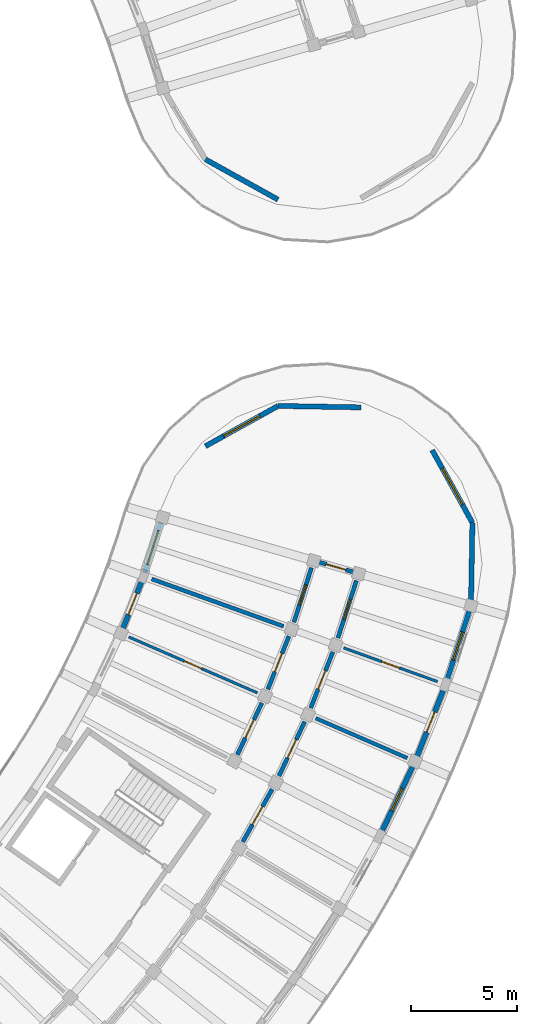
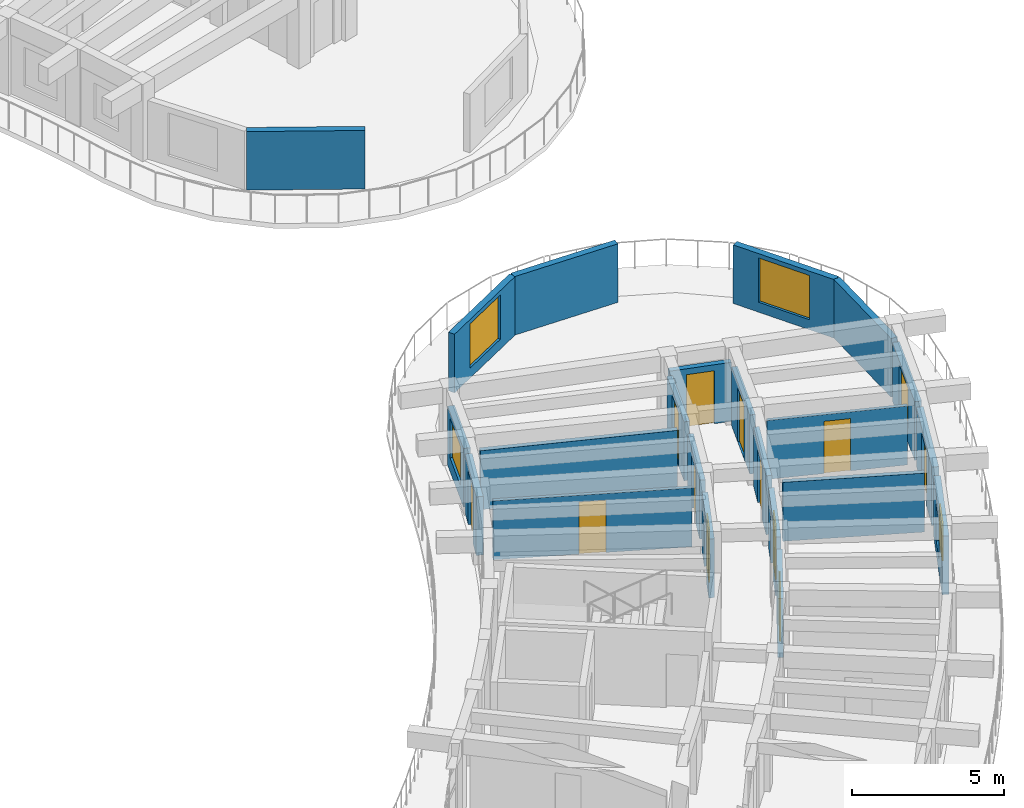
# One storey, part 55 of 81: 22 walls, 12 doors, 5 windows, 17 openings.
"""IFC4 building model written with IfcOpenShell, lengths in metres."""

import ifcopenshell
import ifcopenshell.guid

model = None  # the IFC model being written
_history = None  # IfcOwnerHistory: only IFC2X3 demands one
_inside = {}  # id of a spatial element -> (the spatial element, [elements in it])
_under = {}  # id of a project, library or spatial element -> (it, [spatial elements below it])
_declared = {}  # id of a project -> (the project, [libraries it declares])
_typed = {}  # id of a type object -> (the type object, [elements of that type])
_made_of = {}  # id of a material, layer set ... -> (it, [elements and type objects made of it])


def new_model(schema):
    """Start an empty IFC model of exactly this schema.

    Asked for "IFC4X3", IfcOpenShell would pick the latest addendum, in which some entities
    have other attributes; the version numbers below select the first issue.
    IFC2X3 requires an IfcOwnerHistory on every rooted entity: one is made here for all.
    """
    global model, _history
    if schema == "IFC4X3":
        model = ifcopenshell.file(schema_version=(4, 3, 0, 0))
    else:
        model = ifcopenshell.file(schema=schema)
    _inside.clear()
    _under.clear()
    _declared.clear()
    _typed.clear()
    _made_of.clear()
    _history = None
    if model.schema == "IFC2X3":
        org = make("IfcOrganization", Name="unknown")
        user = make(
            "IfcPersonAndOrganization",
            ThePerson=make("IfcPerson", FamilyName="unknown"),
            TheOrganization=org,
        )
        app = make(
            "IfcApplication",
            ApplicationDeveloper=org,
            Version="unknown",
            ApplicationFullName="unknown",
            ApplicationIdentifier="unknown",
        )
        _history = make(
            "IfcOwnerHistory",
            OwningUser=user,
            OwningApplication=app,
            ChangeAction="ADDED",
            CreationDate=0,
        )
    return model


def make(cls, **values):
    """One entity of the class cls with the attributes given. An attribute that is None is left unset."""
    return model.create_entity(
        cls, **{name: value for name, value in values.items() if value is not None}
    )


def rooted(cls, **values):
    """An entity with a GlobalId (a new one), such as an element, a storey or a relation."""
    return make(cls, GlobalId=ifcopenshell.guid.new(), OwnerHistory=_history, **values)


def si_unit(unit_type, name, prefix=None):
    """IfcSIUnit, for example si_unit("LENGTHUNIT", "METRE", prefix="MILLI")."""
    return make("IfcSIUnit", UnitType=unit_type, Prefix=prefix, Name=name)


def assignment(units):
    """IfcUnitAssignment: the units of a project."""
    return None if units is None else make("IfcUnitAssignment", Units=units)


def point(xyz):
    """IfcCartesianPoint."""
    return None if xyz is None else make("IfcCartesianPoint", Coordinates=xyz)


def direction(xyz):
    """IfcDirection."""
    return None if xyz is None else make("IfcDirection", DirectionRatios=xyz)


def frame(location, z_axis=None, x_axis=None):
    """IfcAxis2Placement3D, a coordinate frame: its origin and axes. An axis left out is left unset."""
    return make(
        "IfcAxis2Placement3D",
        Location=point(location),
        Axis=direction(z_axis),
        RefDirection=direction(x_axis),
    )


def frame_2d(location, x_axis=None):
    """IfcAxis2Placement2D, a coordinate frame in the plane: its origin and x axis."""
    return make(
        "IfcAxis2Placement2D", Location=point(location), RefDirection=direction(x_axis)
    )


def origin():
    """The frame at (0, 0, 0) with its axes left unset."""
    return frame((0.0, 0.0, 0.0))


def place(relative_to, where):
    """IfcLocalPlacement: puts the frame where relative to a parent placement (None: the world)."""
    return make(
        "IfcLocalPlacement", PlacementRelTo=relative_to, RelativePlacement=where
    )


def context(
    kind, dimensions, precision=None, world=None, true_north=None, identifier=None
):
    """IfcGeometricRepresentationContext, for example the 3D "Model" context."""
    return make(
        "IfcGeometricRepresentationContext",
        ContextIdentifier=identifier,
        ContextType=kind,
        CoordinateSpaceDimension=dimensions,
        Precision=precision,
        WorldCoordinateSystem=world,
        TrueNorth=true_north,
    )


def subcontext(parent, identifier, kind, view, scale=None):
    """IfcGeometricRepresentationSubContext, for example "Body" below "Model"."""
    return make(
        "IfcGeometricRepresentationSubContext",
        ContextIdentifier=identifier,
        ContextType=kind,
        ParentContext=parent,
        TargetScale=scale,
        TargetView=view,
    )


def project(units=None, contexts=None):
    """IfcProject with its units and contexts."""
    return rooted(
        "IfcProject",
        Name="project",
        RepresentationContexts=contexts,
        UnitsInContext=assignment(units),
    )


def spatial(cls, under=None, at=None, **own):
    """A site, building, storey or space (cls), placed at a placement, below another one or the project."""
    s = rooted(cls, ObjectPlacement=at, **own)
    if under is not None:
        _under.setdefault(under.id(), (under, []))[1].append(s)
    return s


def profile(cls, at=None, kind="AREA", **sizes):
    """A parametric profile (cls). Its sizes go by their IFC names, for example OverallWidth=200.0."""
    return make(cls, ProfileType=kind, Position=at, **sizes)


def rectangle(**sizes):
    """IfcRectangleProfileDef."""
    return profile("IfcRectangleProfileDef", **sizes)


def extrude(swept, where, along, depth):
    """IfcExtrudedAreaSolid: the profile swept, set in the frame where, extruded along a direction by depth."""
    return make(
        "IfcExtrudedAreaSolid",
        SweptArea=swept,
        Position=where,
        ExtrudedDirection=direction(along),
        Depth=depth,
    )


def shape(context_of_items, identifier, shape_type, items):
    """IfcShapeRepresentation: the items that make up one representation, for example the "Body"."""
    return make(
        "IfcShapeRepresentation",
        ContextOfItems=context_of_items,
        RepresentationIdentifier=identifier,
        RepresentationType=shape_type,
        Items=items,
    )


def material(Name=None, Category=None):
    """IfcMaterial."""
    return make("IfcMaterial", Name=Name, Category=Category)


def layer(
    of_material, thickness, ventilated=None, Name=None, Category=None, Priority=None
):
    """IfcMaterialLayer: one layer of a wall or slab, of a material (None: an air gap)."""
    return make(
        "IfcMaterialLayer",
        Material=of_material,
        LayerThickness=thickness,
        IsVentilated=ventilated,
        Name=Name,
        Category=Category,
        Priority=Priority,
    )


def layer_set(layers, Name=None):
    """IfcMaterialLayerSet."""
    return make("IfcMaterialLayerSet", MaterialLayers=layers, LayerSetName=Name)


def made_of(thing, what):
    """Note that an element or type object is made of a material, layer set ...; save() writes the relation."""
    if what is not None:
        _made_of.setdefault(what.id(), (what, []))[1].append(thing)
    return thing


def type_object(cls, material=None, **own):
    """A type object (cls), such as IfcWallType, which elements share."""
    return made_of(rooted(cls, **own), material)


def element(
    cls,
    number,
    at=None,
    inside=None,
    cuts=None,
    type_object=None,
    material=None,
    context=None,
    identifier="Body",
    shape_type=None,
    held_by="IfcProductDefinitionShape",
    body=None,
    shapes=None,
    **own,
):
    """One element of the class cls, such as IfcWall. Its Tag is "e" and its number.

    at: its placement. inside: the storey or other place that contains it. cuts: it is an
    opening in that element (IfcRelVoidsElement). A single representation is given by context,
    identifier, shape_type and body (its items); several are given by shapes. held_by: the class
    of the entity that holds the representations. save() writes the other relations.
    """
    e = rooted(cls, Tag="e%d" % number, ObjectPlacement=at, **own)
    if body is not None:
        shapes = [shape(context, identifier, shape_type, body)]
    if shapes is not None:
        e.Representation = make(held_by, Representations=shapes)
    if inside is not None:
        _inside.setdefault(inside.id(), (inside, []))[1].append(e)
    if cuts is not None:
        rooted(
            "IfcRelVoidsElement", RelatingBuildingElement=cuts, RelatedOpeningElement=e
        )
    if type_object is not None:
        _typed.setdefault(type_object.id(), (type_object, []))[1].append(e)
    return made_of(e, material)


def fill(opening, filler):
    """IfcRelFillsElement: the door or window that sits in an opening."""
    return rooted(
        "IfcRelFillsElement",
        RelatingOpeningElement=opening,
        RelatedBuildingElement=filler,
    )


def aggregate(whole, parts):
    """IfcRelAggregates: a whole, such as a stair, and the parts it consists of."""
    return rooted("IfcRelAggregates", RelatingObject=whole, RelatedObjects=parts)


def save(model, path):
    """Write the relations noted so far, then the file.

    IfcRelAggregates (storeys below a building ...), IfcRelContainedInSpatialStructure (elements
    in a storey), IfcRelDefinesByType, IfcRelAssociatesMaterial and IfcRelDeclares: one each for
    every whole, place, type object, material and project.
    """
    for whole, parts in _under.values():
        aggregate(whole, parts)
    for where, things in _inside.values():
        rooted(
            "IfcRelContainedInSpatialStructure",
            RelatedElements=things,
            RelatingStructure=where,
        )
    for kind, things in _typed.values():
        rooted("IfcRelDefinesByType", RelatedObjects=things, RelatingType=kind)
    for what, things in _made_of.values():
        rooted("IfcRelAssociatesMaterial", RelatedObjects=things, RelatingMaterial=what)
    for by, libraries in _declared.values():
        rooted("IfcRelDeclares", RelatingContext=by, RelatedDefinitions=libraries)
    model.write(path)


model = new_model("IFC4")

# Units and contexts
model_context = context("Model", 3, precision=1e-05, world=origin(), true_north=direction((0.0, 1.0)))
body_context = subcontext(model_context, "Body", "Model", "MODEL_VIEW")
ifc_project = project(units=[si_unit("LENGTHUNIT", "METRE"), si_unit("AREAUNIT", "SQUARE_METRE"), si_unit("VOLUMEUNIT", "CUBIC_METRE"), si_unit("PLANEANGLEUNIT", "RADIAN"), si_unit("MASSUNIT", "GRAM", prefix="KILO")], contexts=[model_context])

# Site, building, storey
site_placement = place(None, origin())
site = spatial("IfcSite", under=ifc_project, at=site_placement, CompositionType="ELEMENT")
building_placement = place(site_placement, origin())
building = spatial("IfcBuilding", under=site, at=building_placement, Name="Tanwirah Colonnade Gardens", CompositionType="ELEMENT")
storey_placement = place(building_placement, frame((0.0, 0.0, 8.840087890625)))
storey = spatial("IfcBuildingStorey", under=building, at=storey_placement, Name="L02", CompositionType="ELEMENT", Elevation=8.840087890625)

# Wall
ifc_material_1 = material(Name="Limestone architectural precast concrete C40/50", Category="masonry")
ifc_layer_1 = layer(ifc_material_1, 0.239990234375)
ifc_layer_set_1 = layer_set([ifc_layer_1], Name="Limestone architectural precast concrete C40/50")
wall_type_1 = type_object("IfcWallType", Name="EW-PC240", PredefinedType="SOLIDWALL", material=ifc_layer_set_1)
wall_1_placement = place(storey_placement, frame((169.1591796875, 67.20751953125, 0.0), z_axis=(0.0, 0.0, 1.0), x_axis=(-0.874643043537, 0.484767517881, 0.0)))
element("IfcWall", 1, at=wall_1_placement, inside=storey, type_object=wall_type_1, Name="Block B L02 START Rounded End Wall 4", PredefinedType="SOLIDWALL", context=body_context, shape_type="SweptSolid", body=[
    extrude(rectangle(XDim=3.908203125, YDim=0.239990234375, at=frame_2d((1.9541015625, 0.0))), origin(), (0.0, 0.0, 1.0), 2.35498046875),
])

# Wall, opening, window
wall_2_placement = place(storey_placement, frame((174.009521484375, 37.378173828125, 0.0), z_axis=(0.0, 0.0, 1.0), x_axis=(0.428576879122, 0.903505317462, 0.0)))
wall_2 = element("IfcWall", 2, at=wall_2_placement, inside=storey, type_object=wall_type_1, Name="Block D L02 OUT Precast Facade Wall 13", PredefinedType="SOLIDWALL", context=body_context, shape_type="SweptSolid", body=[
    extrude(rectangle(XDim=3.48681640625, YDim=0.239990234375, at=frame_2d((1.743408203125, 0.0))), origin(), (0.0, 0.0, 1.0), 2.35498046875),
])
opening_1_placement = place(wall_2_placement, frame((1.163330078125, 0.0, 0.550048828125)))
opening_1 = element("IfcOpeningElement", 3, at=opening_1_placement, cuts=wall_2, Name="Opening WIN-U01", PredefinedType="OPENING", context=body_context, shape_type="SweptSolid", body=[
    extrude(rectangle(XDim=1.159912109375, YDim=1.485107421875, at=frame_2d((0.580078125, 0.74267578125))), frame((0.0, 0.1298828125, 0.0), z_axis=(0.0, -1.0, 0.0), x_axis=(1.0, 0.0, 0.0)), (0.0, 0.0, 1.0), 0.260009765625),
])
ifc_material_2 = material(Name="Thermally broken bronze aluminium and solar low-E double glazing", Category="aluminium")
window_type_1 = type_object("IfcWindowType", Name="WIN-U01", PartitioningType="DOUBLE_PANEL_VERTICAL", PredefinedType="WINDOW", material=ifc_material_2)
window_1_placement = place(opening_1_placement, origin())
window_1 = element("IfcWindow", 4, at=window_1_placement, inside=storey, type_object=window_type_1, Name="Facade window D-L02-OUT-13", OverallHeight=1.485107421875, OverallWidth=1.159912109375, PartitioningType="SINGLE_PANEL", PredefinedType="WINDOW", context=body_context, shape_type="SweptSolid", body=[
    extrude(rectangle(XDim=1.159912109375, YDim=1.485107421875, at=frame_2d((0.580078125, 0.74267578125))), frame((0.0, 0.030029296875, 0.0), z_axis=(0.0, -1.0, 0.0), x_axis=(1.0, 0.0, 0.0)), (0.0, 0.0, 1.0), 0.06005859375),
])
fill(opening_1, window_1)

# Wall, opening, door
wall_3_placement = place(storey_placement, frame((175.703125, 40.98681640625, 0.0), z_axis=(0.0, 0.0, 1.0), x_axis=(0.368503667074, 0.929626294461, 0.0)))
wall_3 = element("IfcWall", 5, at=wall_3_placement, inside=storey, type_object=wall_type_1, Name="Block D L02 OUT Precast Facade Wall 14", PredefinedType="SOLIDWALL", context=body_context, shape_type="SweptSolid", body=[
    extrude(rectangle(XDim=3.48681640625, YDim=0.239990234375, at=frame_2d((1.743408203125, 0.0))), origin(), (0.0, 0.0, 1.0), 2.35498046875),
])
opening_2_placement = place(wall_3_placement, frame((1.2333984375, 0.0, 0.0)))
opening_2 = element("IfcOpeningElement", 6, at=opening_2_placement, cuts=wall_3, Name="Opening L02-ED185", PredefinedType="OPENING", context=body_context, shape_type="SweptSolid", body=[
    extrude(rectangle(XDim=1.02001953125, YDim=2.139892578125, at=frame_2d((0.510009765625, 1.06982421875))), frame((0.0, 0.1298828125, 0.0), z_axis=(0.0, -1.0, 0.0), x_axis=(1.0, 0.0, 0.0)), (0.0, 0.0, 1.0), 0.260009765625),
])
ifc_material_3 = material(Name="Bronze aluminium glazed balcony door", Category="aluminium")
door_type_1 = type_object("IfcDoorType", Name="ED-BAL102", OperationType="NOTDEFINED", PredefinedType="DOOR", material=ifc_material_3)
door_1_placement = place(opening_2_placement, origin())
door_1 = element("IfcDoor", 7, at=door_1_placement, inside=storey, type_object=door_type_1, Name="Balcony glazed door L02-ED185", OperationType="SINGLE_SWING_LEFT", OverallHeight=2.139892578125, OverallWidth=1.02001953125, PredefinedType="DOOR", context=body_context, shape_type="SweptSolid", body=[
    extrude(rectangle(XDim=1.02001953125, YDim=2.139892578125, at=frame_2d((0.510009765625, 1.06982421875))), frame((0.0, 0.02490234375, 0.0), z_axis=(0.0, -1.0, 0.0), x_axis=(1.0, 0.0, 0.0)), (0.0, 0.0, 1.0), 0.050048828125),
])
fill(opening_2, door_1)

wall_4_placement = place(storey_placement, frame((161.85546875, 47.008056640625, 0.0), z_axis=(0.0, 0.0, 1.0), x_axis=(0.368558756085, 0.9296044553, 0.0)))
wall_4 = element("IfcWall", 8, at=wall_4_placement, inside=storey, type_object=wall_type_1, Name="Block D L02 IN Precast Facade Wall 14", PredefinedType="SOLIDWALL", context=body_context, shape_type="SweptSolid", body=[
    extrude(rectangle(XDim=2.49853515625, YDim=0.239990234375, at=frame_2d((1.249267578125, 0.0))), origin(), (0.0, 0.0, 1.0), 2.35498046875),
])
opening_3_placement = place(wall_4_placement, frame((0.70947265625, 0.0, 0.0)))
opening_3 = element("IfcOpeningElement", 9, at=opening_3_placement, cuts=wall_4, Name="Opening L02-ED186", PredefinedType="OPENING", context=body_context, shape_type="SweptSolid", body=[
    extrude(rectangle(XDim=1.080078125, YDim=2.14990234375, at=frame_2d((0.5400390625, 1.074951171875))), frame((0.0, 0.1298828125, 0.0), z_axis=(0.0, -1.0, 0.0), x_axis=(1.0, 0.0, 0.0)), (0.0, 0.0, 1.0), 0.260009765625),
])
door_type_2 = type_object("IfcDoorType", Name="ED-BAL108", OperationType="NOTDEFINED", PredefinedType="DOOR", material=ifc_material_3)
door_2_placement = place(opening_3_placement, origin())
door_2 = element("IfcDoor", 10, at=door_2_placement, inside=storey, type_object=door_type_2, Name="Balcony glazed door L02-ED186", OperationType="SINGLE_SWING_LEFT", OverallHeight=2.14990234375, OverallWidth=1.080078125, PredefinedType="DOOR", context=body_context, shape_type="SweptSolid", body=[
    extrude(rectangle(XDim=1.080078125, YDim=2.14990234375, at=frame_2d((0.5400390625, 1.074951171875))), frame((0.0, 0.02490234375, 0.0), z_axis=(0.0, -1.0, 0.0), x_axis=(1.0, 0.0, 0.0)), (0.0, 0.0, 1.0), 0.050048828125),
])
fill(opening_3, door_2)

# Wall, opening, window
wall_5_placement = place(storey_placement, frame((177.09619140625, 44.529296875, 0.0), z_axis=(0.0, 0.0, 1.0), x_axis=(0.306949591136, 0.951725773793, 0.0)))
wall_5 = element("IfcWall", 11, at=wall_5_placement, inside=storey, type_object=wall_type_1, Name="Block D L02 OUT Precast Facade Wall 15", PredefinedType="SOLIDWALL", context=body_context, shape_type="SweptSolid", body=[
    extrude(rectangle(XDim=3.48681640625, YDim=0.239990234375, at=frame_2d((1.743408203125, 0.0))), origin(), (0.0, 0.0, 1.0), 2.35498046875),
])
opening_4_placement = place(wall_5_placement, frame((1.04345703125, 0.0, 0.550048828125)))
opening_4 = element("IfcOpeningElement", 12, at=opening_4_placement, cuts=wall_5, Name="Opening WIN-U07", PredefinedType="OPENING", context=body_context, shape_type="SweptSolid", body=[
    extrude(rectangle(XDim=1.39990234375, YDim=1.635009765625, at=frame_2d((0.699951171875, 0.8173828125))), frame((0.0, 0.1298828125, 0.0), z_axis=(0.0, -1.0, 0.0), x_axis=(1.0, 0.0, 0.0)), (0.0, 0.0, 1.0), 0.260009765625),
])
window_type_2 = type_object("IfcWindowType", Name="WIN-U07", PartitioningType="DOUBLE_PANEL_VERTICAL", PredefinedType="WINDOW", material=ifc_material_2)
window_2_placement = place(opening_4_placement, origin())
window_2 = element("IfcWindow", 13, at=window_2_placement, inside=storey, type_object=window_type_2, Name="Facade window D-L02-OUT-15", OverallHeight=1.635009765625, OverallWidth=1.39990234375, PartitioningType="SINGLE_PANEL", PredefinedType="WINDOW", context=body_context, shape_type="SweptSolid", body=[
    extrude(rectangle(XDim=1.39990234375, YDim=1.635009765625, at=frame_2d((0.699951171875, 0.8173828125))), frame((0.0, 0.030029296875, 0.0), z_axis=(0.0, -1.0, 0.0), x_axis=(1.0, 0.0, 0.0)), (0.0, 0.0, 1.0), 0.06005859375),
])
fill(opening_4, window_2)

wall_6_placement = place(storey_placement, frame((162.88427734375, 49.6318359375, 0.0), z_axis=(0.0, 0.0, 1.0), x_axis=(0.306979942778, 0.951715984279, 0.0)))
wall_6 = element("IfcWall", 14, at=wall_6_placement, inside=storey, type_object=wall_type_1, Name="Block D L02 IN Precast Facade Wall 15", PredefinedType="SOLIDWALL", context=body_context, shape_type="SweptSolid", body=[
    extrude(rectangle(XDim=2.498779296875, YDim=0.239990234375, at=frame_2d((1.24951171875, 0.0))), origin(), (0.0, 0.0, 1.0), 2.35498046875),
])
opening_5_placement = place(wall_6_placement, frame((0.409423828125, 0.0, 0.550048828125)))
opening_5 = element("IfcOpeningElement", 15, at=opening_5_placement, cuts=wall_6, Name="Opening WIN-U14", PredefinedType="OPENING", context=body_context, shape_type="SweptSolid", body=[
    extrude(rectangle(XDim=1.679931640625, YDim=1.5849609375, at=frame_2d((0.83984375, 0.79248046875))), frame((0.0, 0.1298828125, 0.0), z_axis=(0.0, -1.0, 0.0), x_axis=(1.0, 0.0, 0.0)), (0.0, 0.0, 1.0), 0.260009765625),
])
window_type_3 = type_object("IfcWindowType", Name="WIN-U14", PartitioningType="DOUBLE_PANEL_VERTICAL", PredefinedType="WINDOW", material=ifc_material_2)
window_3_placement = place(opening_5_placement, origin())
window_3 = element("IfcWindow", 16, at=window_3_placement, inside=storey, type_object=window_type_3, Name="Facade window D-L02-IN-15", OverallHeight=1.5849609375, OverallWidth=1.679931640625, PartitioningType="SINGLE_PANEL", PredefinedType="WINDOW", context=body_context, shape_type="SweptSolid", body=[
    extrude(rectangle(XDim=1.679931640625, YDim=1.5849609375, at=frame_2d((0.83984375, 0.79248046875))), frame((0.0, 0.030029296875, 0.0), z_axis=(0.0, -1.0, 0.0), x_axis=(1.0, 0.0, 0.0)), (0.0, 0.0, 1.0), 0.06005859375),
])
fill(opening_5, window_3)

wall_7_placement = place(storey_placement, frame((165.740966796875, 55.597900390625, 0.0), z_axis=(0.0, 0.0, 1.0), x_axis=(0.874616555828, 0.48481530532, 0.0)))
wall_7 = element("IfcWall", 17, at=wall_7_placement, inside=storey, type_object=wall_type_1, Name="Block D L02 END Rounded End Wall 1", PredefinedType="SOLIDWALL", context=body_context, shape_type="SweptSolid", body=[
    extrude(rectangle(XDim=3.908203125, YDim=0.239990234375, at=frame_2d((1.9541015625, 0.0))), origin(), (0.0, 0.0, 1.0), 2.35498046875),
])
opening_6_placement = place(wall_7_placement, frame((0.97900390625, 0.0, 0.39990234375)))
opening_6 = element("IfcOpeningElement", 18, at=opening_6_placement, cuts=wall_7, Name="Opening WIN-END2", PredefinedType="OPENING", context=body_context, shape_type="SweptSolid", body=[
    extrude(rectangle(XDim=1.949951171875, YDim=1.780029296875, at=frame_2d((0.97509765625, 0.89013671875))), frame((0.0, 0.1298828125, 0.0), z_axis=(0.0, -1.0, 0.0), x_axis=(1.0, 0.0, 0.0)), (0.0, 0.0, 1.0), 0.260009765625),
])
window_type_4 = type_object("IfcWindowType", Name="WIN-END2", PartitioningType="TRIPLE_PANEL_VERTICAL", PredefinedType="WINDOW", material=ifc_material_2)
window_4_placement = place(opening_6_placement, origin())
window_4 = element("IfcWindow", 19, at=window_4_placement, inside=storey, type_object=window_type_4, Name="Rounded corner window D-L02-END-1", OverallHeight=1.780029296875, OverallWidth=1.949951171875, PartitioningType="SINGLE_PANEL", PredefinedType="WINDOW", context=body_context, shape_type="SweptSolid", body=[
    extrude(rectangle(XDim=1.949951171875, YDim=1.780029296875, at=frame_2d((0.97509765625, 0.89013671875))), frame((0.0, 0.030029296875, 0.0), z_axis=(0.0, -1.0, 0.0), x_axis=(1.0, 0.0, 0.0)), (0.0, 0.0, 1.0), 0.06005859375),
])
fill(opening_6, window_4)

# Wall
wall_8_placement = place(storey_placement, frame((169.1591796875, 57.49267578125, 0.0), z_axis=(0.0, 0.0, 1.0), x_axis=(0.999847005776, -0.017491856396, 0.0)))
element("IfcWall", 20, at=wall_8_placement, inside=storey, type_object=wall_type_1, Name="Block D L02 END Rounded End Wall 2", PredefinedType="SOLIDWALL", context=body_context, shape_type="SweptSolid", body=[
    extrude(rectangle(XDim=3.907958984375, YDim=0.239990234375, at=frame_2d((1.9541015625, 0.0))), origin(), (0.0, 0.0, 1.0), 2.35498046875),
])

# Wall, opening, window
wall_9_placement = place(storey_placement, frame((176.41650390625, 55.41162109375, 0.0), z_axis=(0.0, 0.0, 1.0), x_axis=(0.48481530532, -0.874616555828, 0.0)))
wall_9 = element("IfcWall", 21, at=wall_9_placement, inside=storey, type_object=wall_type_1, Name="Block D L02 END Rounded End Wall 4", PredefinedType="SOLIDWALL", context=body_context, shape_type="SweptSolid", body=[
    extrude(rectangle(XDim=3.908203125, YDim=0.239990234375, at=frame_2d((1.9541015625, 0.0))), origin(), (0.0, 0.0, 1.0), 2.35498046875),
])
opening_7_placement = place(wall_9_placement, frame((0.97900390625, 0.0, 0.39990234375)))
opening_7 = element("IfcOpeningElement", 22, at=opening_7_placement, cuts=wall_9, Name="Opening WIN-END2", PredefinedType="OPENING", context=body_context, shape_type="SweptSolid", body=[
    extrude(rectangle(XDim=1.949951171875, YDim=1.780029296875, at=frame_2d((0.97509765625, 0.89013671875))), frame((0.0, 0.1298828125, 0.0), z_axis=(0.0, -1.0, 0.0), x_axis=(1.0, 0.0, 0.0)), (0.0, 0.0, 1.0), 0.260009765625),
])
window_5_placement = place(opening_7_placement, origin())
window_5 = element("IfcWindow", 23, at=window_5_placement, inside=storey, type_object=window_type_4, Name="Rounded corner window D-L02-END-4", OverallHeight=1.780029296875, OverallWidth=1.949951171875, PartitioningType="SINGLE_PANEL", PredefinedType="WINDOW", context=body_context, shape_type="SweptSolid", body=[
    extrude(rectangle(XDim=1.949951171875, YDim=1.780029296875, at=frame_2d((0.97509765625, 0.89013671875))), frame((0.0, 0.030029296875, 0.0), z_axis=(0.0, -1.0, 0.0), x_axis=(1.0, 0.0, 0.0)), (0.0, 0.0, 1.0), 0.06005859375),
])
fill(opening_7, window_5)

# Wall
wall_10_placement = place(storey_placement, frame((178.311279296875, 51.993408203125, 0.0), z_axis=(0.0, 0.0, 1.0), x_axis=(-0.017428315893, -0.999848115368, 0.0)))
element("IfcWall", 24, at=wall_10_placement, inside=storey, type_object=wall_type_1, Name="Block D L02 END Rounded End Wall 5", PredefinedType="SOLIDWALL", context=body_context, shape_type="SweptSolid", body=[
    extrude(rectangle(XDim=3.908203125, YDim=0.239990234375, at=frame_2d((1.9541015625, 0.0))), origin(), (0.0, 0.0, 1.0), 2.35498046875),
])

# Wall, opening, door
ifc_material_4 = material(Name="Precast concrete C40/50", Category="concrete")
ifc_layer_2 = layer(ifc_material_4, 0.195068359375)
ifc_layer_set_2 = layer_set([ifc_layer_2], Name="Precast concrete C40/50")
wall_type_2 = type_object("IfcWallType", Name="IW-CORR195", PredefinedType="PARTITIONING", material=ifc_layer_set_2)
wall_11_placement = place(storey_placement, frame((167.500244140625, 36.968017578125, 0.0), z_axis=(0.0, 0.0, 1.0), x_axis=(0.48673124079, 0.8735517725, 0.0)))
wall_11 = element("IfcWall", 25, at=wall_11_placement, inside=storey, type_object=wall_type_2, Name="Block D L02 OUT Corridor Wall 12", PredefinedType="PARTITIONING", context=body_context, shape_type="SweptSolid", body=[
    extrude(rectangle(XDim=2.8369140625, YDim=0.195068359375, at=frame_2d((1.41845703125, 0.0))), origin(), (0.0, 0.0, 1.0), 2.369873046875),
])
opening_8_placement = place(wall_11_placement, frame((0.93359375, 0.0, 0.0)))
opening_8 = element("IfcOpeningElement", 26, at=opening_8_placement, cuts=wall_11, Name="Opening L02-AD1750", PredefinedType="OPENING", context=body_context, shape_type="SweptSolid", body=[
    extrude(rectangle(XDim=0.969970703125, YDim=2.14990234375, at=frame_2d((0.48486328125, 1.074951171875))), frame((0.0, 0.107421875, 0.0), z_axis=(0.0, -1.0, 0.0), x_axis=(1.0, 0.0, 0.0)), (0.0, 0.0, 1.0), 0.215087890625),
])
ifc_material_5 = material(Name="Solid oak fire-resisting apartment entrance door")
door_type_3 = type_object("IfcDoorType", Name="ID-FLT097", OperationType="NOTDEFINED", PredefinedType="DOOR", material=ifc_material_5)
door_3_placement = place(opening_8_placement, origin())
door_3 = element("IfcDoor", 27, at=door_3_placement, inside=storey, type_object=door_type_3, Name="Apartment corridor door L02-AD1750", OperationType="SINGLE_SWING_LEFT", OverallHeight=2.14990234375, OverallWidth=0.969970703125, PredefinedType="DOOR", context=body_context, shape_type="SweptSolid", body=[
    extrude(rectangle(XDim=0.969970703125, YDim=2.14990234375, at=frame_2d((0.48486328125, 1.074951171875))), frame((0.0, 0.02490234375, 0.0), z_axis=(0.0, -1.0, 0.0), x_axis=(1.0, 0.0, 0.0)), (0.0, 0.0, 1.0), 0.050048828125),
])
fill(opening_8, door_3)

wall_12_placement = place(storey_placement, frame((169.201416015625, 40.068115234375, 0.0), z_axis=(0.0, 0.0, 1.0), x_axis=(0.428493237107, 0.903544988229, 0.0)))
wall_12 = element("IfcWall", 28, at=wall_12_placement, inside=storey, type_object=wall_type_2, Name="Block D L02 OUT Corridor Wall 13", PredefinedType="PARTITIONING", context=body_context, shape_type="SweptSolid", body=[
    extrude(rectangle(XDim=2.8369140625, YDim=0.195068359375, at=frame_2d((1.41845703125, 0.0))), origin(), (0.0, 0.0, 1.0), 2.369873046875),
])
opening_9_placement = place(wall_12_placement, frame((0.943603515625, 0.0, 0.0)))
opening_9 = element("IfcOpeningElement", 29, at=opening_9_placement, cuts=wall_12, Name="Opening L02-AD1752", PredefinedType="OPENING", context=body_context, shape_type="SweptSolid", body=[
    extrude(rectangle(XDim=0.949951171875, YDim=2.1298828125, at=frame_2d((0.47509765625, 1.06494140625))), frame((0.0, 0.107421875, 0.0), z_axis=(0.0, -1.0, 0.0), x_axis=(1.0, 0.0, 0.0)), (0.0, 0.0, 1.0), 0.215087890625),
])
door_type_4 = type_object("IfcDoorType", Name="ID-FLT095", OperationType="NOTDEFINED", PredefinedType="DOOR", material=ifc_material_5)
door_4_placement = place(opening_9_placement, origin())
door_4 = element("IfcDoor", 30, at=door_4_placement, inside=storey, type_object=door_type_4, Name="Apartment corridor door L02-AD1752", OperationType="SINGLE_SWING_RIGHT", OverallHeight=2.1298828125, OverallWidth=0.949951171875, PredefinedType="DOOR", context=body_context, shape_type="SweptSolid", body=[
    extrude(rectangle(XDim=0.949951171875, YDim=2.1298828125, at=frame_2d((0.47509765625, 1.06494140625))), frame((0.0, 0.02490234375, 0.0), z_axis=(0.0, -1.0, 0.0), x_axis=(1.0, 0.0, 0.0)), (0.0, 0.0, 1.0), 0.050048828125),
])
fill(opening_9, door_4)

wall_13_placement = place(storey_placement, frame((167.24560546875, 41.075439453125, 0.0), z_axis=(0.0, 0.0, 1.0), x_axis=(0.428550049392, 0.903518043631, 0.0)))
wall_13 = element("IfcWall", 31, at=wall_13_placement, inside=storey, type_object=wall_type_2, Name="Block D L02 IN Corridor Wall 13", PredefinedType="PARTITIONING", context=body_context, shape_type="SweptSolid", body=[
    extrude(rectangle(XDim=2.69287109375, YDim=0.195068359375, at=frame_2d((1.346435546875, 0.0))), origin(), (0.0, 0.0, 1.0), 2.369873046875),
])
opening_10_placement = place(wall_13_placement, frame((0.87158203125, 0.0, 0.0)))
opening_10 = element("IfcOpeningElement", 32, at=opening_10_placement, cuts=wall_13, Name="Opening L02-AD1753", PredefinedType="OPENING", context=body_context, shape_type="SweptSolid", body=[
    extrude(rectangle(XDim=0.949951171875, YDim=2.1298828125, at=frame_2d((0.47509765625, 1.06494140625))), frame((0.0, 0.107421875, 0.0), z_axis=(0.0, -1.0, 0.0), x_axis=(1.0, 0.0, 0.0)), (0.0, 0.0, 1.0), 0.215087890625),
])
door_5_placement = place(opening_10_placement, origin())
door_5 = element("IfcDoor", 33, at=door_5_placement, inside=storey, type_object=door_type_4, Name="Apartment corridor door L02-AD1753", OperationType="SINGLE_SWING_LEFT", OverallHeight=2.1298828125, OverallWidth=0.949951171875, PredefinedType="DOOR", context=body_context, shape_type="SweptSolid", body=[
    extrude(rectangle(XDim=0.949951171875, YDim=2.1298828125, at=frame_2d((0.47509765625, 1.06494140625))), frame((0.0, 0.02490234375, 0.0), z_axis=(0.0, -1.0, 0.0), x_axis=(1.0, 0.0, 0.0)), (0.0, 0.0, 1.0), 0.050048828125),
])
fill(opening_10, door_5)

wall_14_placement = place(storey_placement, frame((170.696044921875, 43.27294921875, 0.0), z_axis=(0.0, 0.0, 1.0), x_axis=(0.368584691693, 0.929594172233, 0.0)))
wall_14 = element("IfcWall", 34, at=wall_14_placement, inside=storey, type_object=wall_type_2, Name="Block D L02 OUT Corridor Wall 14", PredefinedType="PARTITIONING", context=body_context, shape_type="SweptSolid", body=[
    extrude(rectangle(XDim=2.8369140625, YDim=0.195068359375, at=frame_2d((1.41845703125, 0.0))), origin(), (0.0, 0.0, 1.0), 2.369873046875),
])
opening_11_placement = place(wall_14_placement, frame((0.95361328125, 0.0, 0.0)))
opening_11 = element("IfcOpeningElement", 35, at=opening_11_placement, cuts=wall_14, Name="Opening L02-AD1755", PredefinedType="OPENING", context=body_context, shape_type="SweptSolid", body=[
    extrude(rectangle(XDim=0.929931640625, YDim=2.1201171875, at=frame_2d((0.46484375, 1.06005859375))), frame((0.0, 0.107421875, 0.0), z_axis=(0.0, -1.0, 0.0), x_axis=(1.0, 0.0, 0.0)), (0.0, 0.0, 1.0), 0.215087890625),
])
door_type_5 = type_object("IfcDoorType", Name="ID-FLT093", OperationType="NOTDEFINED", PredefinedType="DOOR", material=ifc_material_5)
door_6_placement = place(opening_11_placement, origin())
door_6 = element("IfcDoor", 36, at=door_6_placement, inside=storey, type_object=door_type_5, Name="Apartment corridor door L02-AD1755", OperationType="SINGLE_SWING_LEFT", OverallHeight=2.1201171875, OverallWidth=0.929931640625, PredefinedType="DOOR", context=body_context, shape_type="SweptSolid", body=[
    extrude(rectangle(XDim=0.929931640625, YDim=2.1201171875, at=frame_2d((0.46484375, 1.06005859375))), frame((0.0, 0.02490234375, 0.0), z_axis=(0.0, -1.0, 0.0), x_axis=(1.0, 0.0, 0.0)), (0.0, 0.0, 1.0), 0.050048828125),
])
fill(opening_11, door_6)

wall_15_placement = place(storey_placement, frame((168.678466796875, 44.150146484375, 0.0), z_axis=(0.0, 0.0, 1.0), x_axis=(0.368528468945, 0.929616462622, 0.0)))
wall_15 = element("IfcWall", 37, at=wall_15_placement, inside=storey, type_object=wall_type_2, Name="Block D L02 IN Corridor Wall 14", PredefinedType="PARTITIONING", context=body_context, shape_type="SweptSolid", body=[
    extrude(rectangle(XDim=2.69287109375, YDim=0.195068359375, at=frame_2d((1.346435546875, 0.0))), origin(), (0.0, 0.0, 1.0), 2.369873046875),
])
opening_12_placement = place(wall_15_placement, frame((0.881591796875, 0.0, 0.0)))
opening_12 = element("IfcOpeningElement", 38, at=opening_12_placement, cuts=wall_15, Name="Opening L02-AD1756", PredefinedType="OPENING", context=body_context, shape_type="SweptSolid", body=[
    extrude(rectangle(XDim=0.929931640625, YDim=2.1201171875, at=frame_2d((0.46484375, 1.06005859375))), frame((0.0, 0.107421875, 0.0), z_axis=(0.0, -1.0, 0.0), x_axis=(1.0, 0.0, 0.0)), (0.0, 0.0, 1.0), 0.215087890625),
])
door_7_placement = place(opening_12_placement, origin())
door_7 = element("IfcDoor", 39, at=door_7_placement, inside=storey, type_object=door_type_5, Name="Apartment corridor door L02-AD1756", OperationType="SINGLE_SWING_RIGHT", OverallHeight=2.1201171875, OverallWidth=0.929931640625, PredefinedType="DOOR", context=body_context, shape_type="SweptSolid", body=[
    extrude(rectangle(XDim=0.929931640625, YDim=2.1201171875, at=frame_2d((0.46484375, 1.06005859375))), frame((0.0, 0.02490234375, 0.0), z_axis=(0.0, -1.0, 0.0), x_axis=(1.0, 0.0, 0.0)), (0.0, 0.0, 1.0), 0.050048828125),
])
fill(opening_12, door_7)

wall_16_placement = place(storey_placement, frame((171.97802734375, 46.568603515625, 0.0), z_axis=(0.0, 0.0, 1.0), x_axis=(0.30694495224, 0.951727269912, 0.0)))
wall_16 = element("IfcWall", 40, at=wall_16_placement, inside=storey, type_object=wall_type_2, Name="Block D L02 OUT Corridor Wall 15", PredefinedType="PARTITIONING", context=body_context, shape_type="SweptSolid", body=[
    extrude(rectangle(XDim=2.837158203125, YDim=0.195068359375, at=frame_2d((1.41845703125, 0.0))), origin(), (0.0, 0.0, 1.0), 2.369873046875),
])
opening_13_placement = place(wall_16_placement, frame((0.923583984375, 0.0, 0.0)))
opening_13 = element("IfcOpeningElement", 41, at=opening_13_placement, cuts=wall_16, Name="Opening L02-AD1758", PredefinedType="OPENING", context=body_context, shape_type="SweptSolid", body=[
    extrude(rectangle(XDim=0.989990234375, YDim=2.159912109375, at=frame_2d((0.4951171875, 1.080078125))), frame((0.0, 0.107421875, 0.0), z_axis=(0.0, -1.0, 0.0), x_axis=(1.0, 0.0, 0.0)), (0.0, 0.0, 1.0), 0.215087890625),
])
door_type_6 = type_object("IfcDoorType", Name="ID-FLT099", OperationType="NOTDEFINED", PredefinedType="DOOR", material=ifc_material_5)
door_8_placement = place(opening_13_placement, origin())
door_8 = element("IfcDoor", 42, at=door_8_placement, inside=storey, type_object=door_type_6, Name="Apartment corridor door L02-AD1758", OperationType="SINGLE_SWING_RIGHT", OverallHeight=2.159912109375, OverallWidth=0.989990234375, PredefinedType="DOOR", context=body_context, shape_type="SweptSolid", body=[
    extrude(rectangle(XDim=0.989990234375, YDim=2.159912109375, at=frame_2d((0.4951171875, 1.080078125))), frame((0.0, 0.02490234375, 0.0), z_axis=(0.0, -1.0, 0.0), x_axis=(1.0, 0.0, 0.0)), (0.0, 0.0, 1.0), 0.050048828125),
])
fill(opening_13, door_8)

wall_17_placement = place(storey_placement, frame((169.907470703125, 47.31201171875, 0.0), z_axis=(0.0, 0.0, 1.0), x_axis=(0.306883578189, 0.951747061691, 0.0)))
wall_17 = element("IfcWall", 43, at=wall_17_placement, inside=storey, type_object=wall_type_2, Name="Block D L02 IN Corridor Wall 15", PredefinedType="PARTITIONING", context=body_context, shape_type="SweptSolid", body=[
    extrude(rectangle(XDim=2.69287109375, YDim=0.195068359375, at=frame_2d((1.346435546875, 0.0))), origin(), (0.0, 0.0, 1.0), 2.369873046875),
])
opening_14_placement = place(wall_17_placement, frame((0.8515625, 0.0, 0.0)))
opening_14 = element("IfcOpeningElement", 44, at=opening_14_placement, cuts=wall_17, Name="Opening L02-AD1759", PredefinedType="OPENING", context=body_context, shape_type="SweptSolid", body=[
    extrude(rectangle(XDim=0.989990234375, YDim=2.159912109375, at=frame_2d((0.4951171875, 1.080078125))), frame((0.0, 0.107421875, 0.0), z_axis=(0.0, -1.0, 0.0), x_axis=(1.0, 0.0, 0.0)), (0.0, 0.0, 1.0), 0.215087890625),
])
door_9_placement = place(opening_14_placement, origin())
door_9 = element("IfcDoor", 45, at=door_9_placement, inside=storey, type_object=door_type_6, Name="Apartment corridor door L02-AD1759", OperationType="SINGLE_SWING_LEFT", OverallHeight=2.159912109375, OverallWidth=0.989990234375, PredefinedType="DOOR", context=body_context, shape_type="SweptSolid", body=[
    extrude(rectangle(XDim=0.989990234375, YDim=2.159912109375, at=frame_2d((0.4951171875, 1.080078125))), frame((0.0, 0.02490234375, 0.0), z_axis=(0.0, -1.0, 0.0), x_axis=(1.0, 0.0, 0.0)), (0.0, 0.0, 1.0), 0.050048828125),
])
fill(opening_14, door_9)

wall_18_placement = place(storey_placement, frame((170.889404296875, 50.1943359375, 0.0), z_axis=(0.0, 0.0, 1.0), x_axis=(0.961264701934, -0.275626872449, 0.0)))
wall_18 = element("IfcWall", 46, at=wall_18_placement, inside=storey, type_object=wall_type_2, Name="Block D L02 CE Corner Suite Corridor Wall", PredefinedType="PARTITIONING", context=body_context, shape_type="SweptSolid", body=[
    extrude(rectangle(XDim=2.10009765625, YDim=0.195068359375, at=frame_2d((1.050048828125, 0.0))), origin(), (0.0, 0.0, 1.0), 2.369873046875),
])
opening_15_placement = place(wall_18_placement, frame((0.570068359375, 0.0, 0.0)))
opening_15 = element("IfcOpeningElement", 47, at=opening_15_placement, cuts=wall_18, Name="Opening L02-CD1761", PredefinedType="OPENING", context=body_context, shape_type="SweptSolid", body=[
    extrude(rectangle(XDim=0.949951171875, YDim=2.1298828125, at=frame_2d((0.47509765625, 1.06494140625))), frame((0.0, 0.107421875, 0.0), z_axis=(0.0, -1.0, 0.0), x_axis=(1.0, 0.0, 0.0)), (0.0, 0.0, 1.0), 0.215087890625),
])
door_10_placement = place(opening_15_placement, origin())
door_10 = element("IfcDoor", 48, at=door_10_placement, inside=storey, type_object=door_type_4, Name="Corner suite entrance door L02-CD1761", OperationType="SINGLE_SWING_RIGHT", OverallHeight=2.1298828125, OverallWidth=0.949951171875, PredefinedType="DOOR", context=body_context, shape_type="SweptSolid", body=[
    extrude(rectangle(XDim=0.949951171875, YDim=2.1298828125, at=frame_2d((0.47509765625, 1.06494140625))), frame((0.0, 0.02490234375, 0.0), z_axis=(0.0, -1.0, 0.0), x_axis=(1.0, 0.0, 0.0)), (0.0, 0.0, 1.0), 0.050048828125),
])
fill(opening_15, door_10)

# Walls
ifc_layer_3 = layer(ifc_material_4, 0.175048828125)
ifc_layer_set_3 = layer_set([ifc_layer_3], Name="Precast concrete C40/50")
wall_type_3 = type_object("IfcWallType", Name="IW-DEM175", PredefinedType="PARTITIONING", material=ifc_layer_set_3)
wall_19_placement = place(storey_placement, frame((170.933837890625, 42.7880859375, 0.0), z_axis=(0.0, 0.0, 1.0), x_axis=(0.917071707884, -0.398722312643, 0.0)))
element("IfcWall", 49, at=wall_19_placement, inside=storey, type_object=wall_type_3, Name="Block D L02 Radial Partition 13", PredefinedType="PARTITIONING", context=body_context, shape_type="SweptSolid", body=[
    extrude(rectangle(XDim=4.699951171875, YDim=0.175048828125, at=frame_2d((2.35009765625, 0.0))), origin(), (0.0, 0.0, 1.0), 2.369873046875),
])
ifc_layer_4 = layer(ifc_material_4, 0.18505859375)
ifc_layer_set_4 = layer_set([ifc_layer_4], Name="Precast concrete C40/50")
wall_type_4 = type_object("IfcWallType", Name="IW-DEM185", PredefinedType="PARTITIONING", material=ifc_layer_set_4)
wall_20_placement = place(storey_placement, frame((163.211669921875, 49.344482421875, 0.0), z_axis=(0.0, 0.0, 1.0), x_axis=(0.941179890997, -0.337905922978, 0.0)))
element("IfcWall", 50, at=wall_20_placement, inside=storey, type_object=wall_type_4, Name="Block D L02 Inner Radial Partition 14", PredefinedType="PARTITIONING", context=body_context, shape_type="SweptSolid", body=[
    extrude(rectangle(XDim=6.60009765625, YDim=0.18505859375, at=frame_2d((3.300048828125, 0.0))), origin(), (0.0, 0.0, 1.0), 2.369873046875),
])

# Wall, opening, door
ifc_material_6 = material(Name="Moisture-resistant gypsum stud partition")
ifc_layer_5 = layer(ifc_material_6, 0.125)
ifc_layer_set_5 = layer_set([ifc_layer_5], Name="Moisture-resistant gypsum stud partition")
wall_type_5 = type_object("IfcWallType", Name="IW-INT125", PredefinedType="PARTITIONING", material=ifc_layer_set_5)
wall_21_placement = place(storey_placement, frame((162.130126953125, 46.6162109375, 0.0), z_axis=(0.0, 0.0, 1.0), x_axis=(0.9170582943, -0.398753162817, 0.0)))
wall_21 = element("IfcWall", 51, at=wall_21_placement, inside=storey, type_object=wall_type_5, Name="Block D L02 Inner Radial Partition 13", PredefinedType="PARTITIONING", context=body_context, shape_type="SweptSolid", body=[
    extrude(rectangle(XDim=6.60009765625, YDim=0.125, at=frame_2d((3.300048828125, 0.0))), origin(), (0.0, 0.0, 1.0), 2.369873046875),
])
opening_16_placement = place(wall_21_placement, frame((2.85498046875, 0.0, 0.0)))
opening_16 = element("IfcOpeningElement", 52, at=opening_16_placement, cuts=wall_21, Name="Opening L02-RD1754", PredefinedType="OPENING", context=body_context, shape_type="SweptSolid", body=[
    extrude(rectangle(XDim=0.889892578125, YDim=2.10009765625, at=frame_2d((0.44482421875, 1.050048828125))), frame((0.0, 0.072509765625, 0.0), z_axis=(0.0, -1.0, 0.0), x_axis=(1.0, 0.0, 0.0)), (0.0, 0.0, 1.0), 0.14501953125),
])
ifc_material_7 = material(Name="Painted hardwood bedroom door", Category="wood")
door_type_7 = type_object("IfcDoorType", Name="ID-RM089", OperationType="NOTDEFINED", PredefinedType="DOOR", material=ifc_material_7)
door_11_placement = place(opening_16_placement, origin())
door_11 = element("IfcDoor", 53, at=door_11_placement, inside=storey, type_object=door_type_7, Name="Internal apartment door L02-RD1754", OperationType="SINGLE_SWING_LEFT", OverallHeight=2.10009765625, OverallWidth=0.889892578125, PredefinedType="DOOR", context=body_context, shape_type="SweptSolid", body=[
    extrude(rectangle(XDim=0.889892578125, YDim=2.10009765625, at=frame_2d((0.44482421875, 1.050048828125))), frame((0.0, 0.02490234375, 0.0), z_axis=(0.0, -1.0, 0.0), x_axis=(1.0, 0.0, 0.0)), (0.0, 0.0, 1.0), 0.050048828125),
])
fill(opening_16, door_11)

wall_22_placement = place(storey_placement, frame((172.2470703125, 46.100341796875, 0.0), z_axis=(0.0, 0.0, 1.0), x_axis=(0.941182387398, -0.337898969591, 0.0)))
wall_22 = element("IfcWall", 54, at=wall_22_placement, inside=storey, type_object=wall_type_5, Name="Block D L02 Radial Partition 14", PredefinedType="PARTITIONING", context=body_context, shape_type="SweptSolid", body=[
    extrude(rectangle(XDim=4.699951171875, YDim=0.125, at=frame_2d((2.35009765625, 0.0))), origin(), (0.0, 0.0, 1.0), 2.369873046875),
])
opening_17_placement = place(wall_22_placement, frame((1.905029296875, 0.0, 0.0)))
opening_17 = element("IfcOpeningElement", 55, at=opening_17_placement, cuts=wall_22, Name="Opening L02-RD1757", PredefinedType="OPENING", context=body_context, shape_type="SweptSolid", body=[
    extrude(rectangle(XDim=0.889892578125, YDim=2.10009765625, at=frame_2d((0.44482421875, 1.050048828125))), frame((0.0, 0.072509765625, 0.0), z_axis=(0.0, -1.0, 0.0), x_axis=(1.0, 0.0, 0.0)), (0.0, 0.0, 1.0), 0.14501953125),
])
door_12_placement = place(opening_17_placement, origin())
door_12 = element("IfcDoor", 56, at=door_12_placement, inside=storey, type_object=door_type_7, Name="Internal apartment door L02-RD1757", OperationType="SINGLE_SWING_LEFT", OverallHeight=2.10009765625, OverallWidth=0.889892578125, PredefinedType="DOOR", context=body_context, shape_type="SweptSolid", body=[
    extrude(rectangle(XDim=0.889892578125, YDim=2.10009765625, at=frame_2d((0.44482421875, 1.050048828125))), frame((0.0, 0.02490234375, 0.0), z_axis=(0.0, -1.0, 0.0), x_axis=(1.0, 0.0, 0.0)), (0.0, 0.0, 1.0), 0.050048828125),
])
fill(opening_17, door_12)

save(model, "model.ifc")
